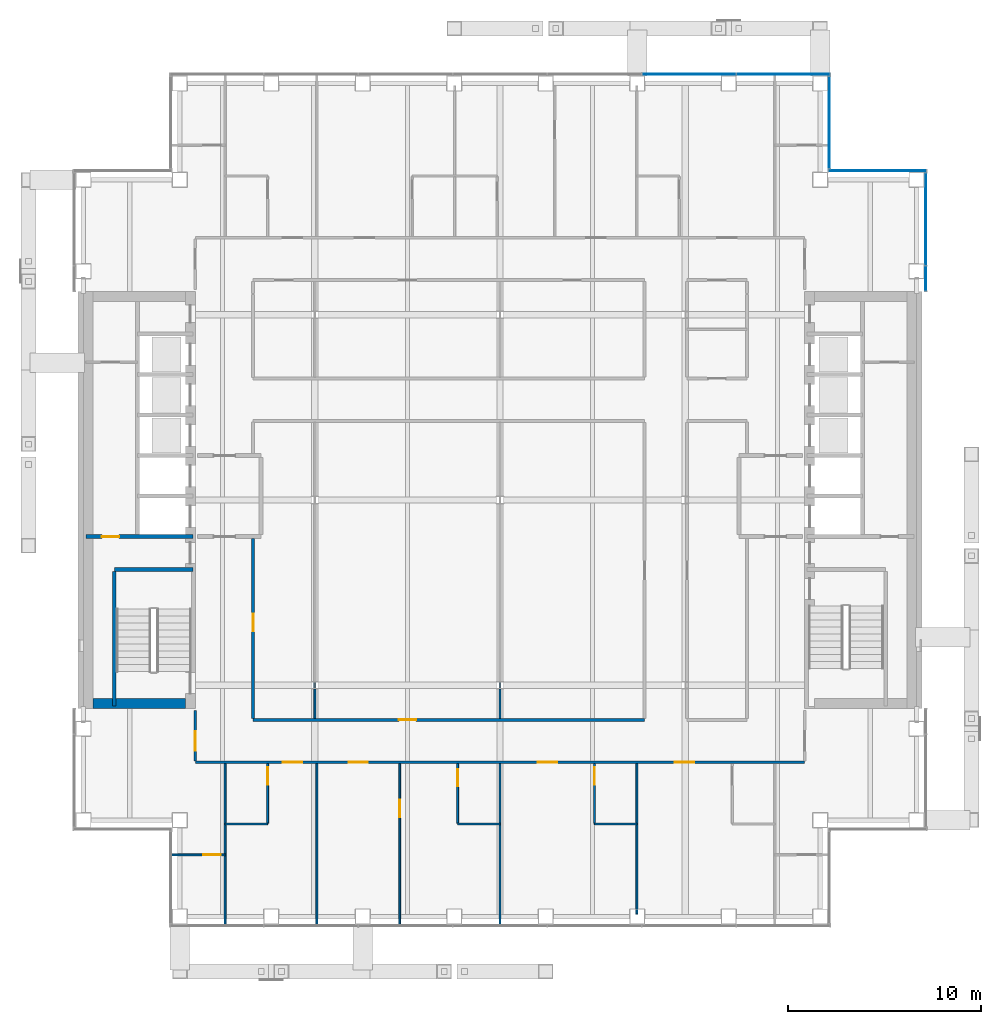
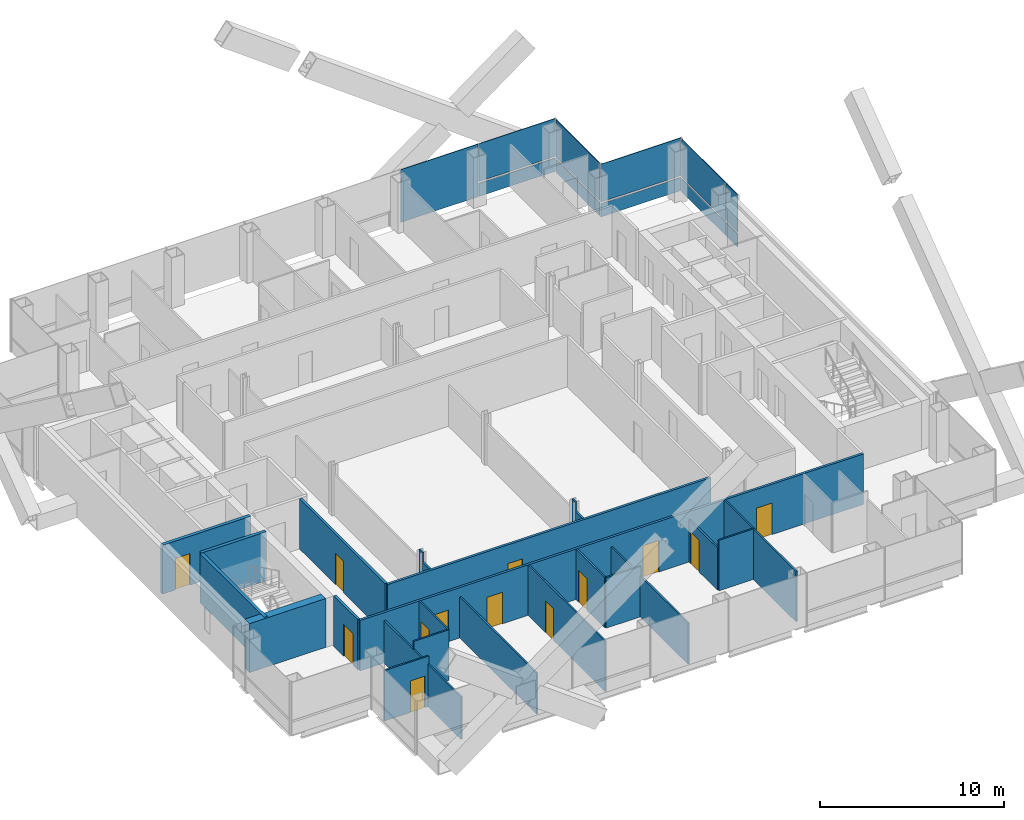
# One storey, part 10 of 16: 24 walls, 13 doors, 11 plates, 13 openings, 4 elements without a shape of their own.
"""IFC4 building model written with IfcOpenShell, lengths in metres."""

from ifc_helpers import new_model, si_unit, direction, frame, frame_2d, origin, origin_2d, place, context, subcontext, project, spatial, rectangle, extrude, material, layer, layer_set, type_object, element, fill, aggregate, save


model = new_model("IFC4")

# Units and contexts
model_context = context("Model", 3, precision=1e-05, world=origin(), true_north=direction((0.0, 1.0)))
body_context = subcontext(model_context, "Body", "Model", "MODEL_VIEW")
ifc_project = project(units=[si_unit("LENGTHUNIT", "METRE"), si_unit("AREAUNIT", "SQUARE_METRE"), si_unit("VOLUMEUNIT", "CUBIC_METRE"), si_unit("PLANEANGLEUNIT", "RADIAN"), si_unit("MASSUNIT", "GRAM", prefix="KILO")], contexts=[model_context])

# Site, building, storey
site_placement = place(None, origin())
site = spatial("IfcSite", under=ifc_project, at=site_placement, CompositionType="ELEMENT")
building_placement = place(site_placement, origin())
building = spatial("IfcBuilding", under=site, at=building_placement, Name="Cobrizo Arcos Hotel Tower", CompositionType="ELEMENT")
storey_placement = place(building_placement, frame((0.0, 0.0, 172.5)))
storey = spatial("IfcBuildingStorey", under=building, at=storey_placement, Name="L44", CompositionType="ELEMENT", Elevation=172.5)

# Curtain wall, plates
ifc_material_1 = material(Name="Aluminium 6063-T6 anodised bronze", Category="aluminium")
curtain_wall_type = type_object("IfcCurtainWallType", Name="CW-A guest facade", PredefinedType="NOTDEFINED", material=ifc_material_1)
curtain_wall_1_placement = place(storey_placement, origin())
curtain_wall_1 = element("IfcCurtainWall", 1, at=curtain_wall_1_placement, inside=storey, type_object=curtain_wall_type, Name="CW-A L44 E face", PredefinedType="NOTDEFINED")
ifc_material_2 = material(Name="Glass clear laminated low-e", Category="glass")
ifc_layer_1 = layer(ifc_material_2, 0.0400390625)
ifc_layer_set_1 = layer_set([ifc_layer_1], Name="CW-A glass panel")
plate_type_1 = type_object("IfcPlateType", Name="CW-A glass panel", PredefinedType="CURTAIN_PANEL", material=ifc_layer_set_1)
plate_1_placement = place(storey_placement, frame((22.074951171875, 11.486328125, 0.990234375), z_axis=(0.0, 0.0, 1.0), x_axis=(0.0, 1.0, 0.0)))
plate_1 = element("IfcPlate", 2, at=plate_1_placement, type_object=plate_type_1, Name="CW-A glass panel 1557", PredefinedType="CURTAIN_PANEL", context=body_context, shape_type="SweptSolid", body=[
    extrude(rectangle(XDim=1.2529296875, YDim=0.0400390625, at=origin_2d()), origin(), (0.0, 0.0, 1.0), 2.510009765625),
])
plate_2_placement = place(storey_placement, frame((22.074951171875, 14.556396484375, 0.990234375), z_axis=(0.0, 0.0, 1.0), x_axis=(0.0, 1.0, 0.0)))
plate_2 = element("IfcPlate", 3, at=plate_2_placement, type_object=plate_type_1, Name="CW-A glass panel 1558", PredefinedType="CURTAIN_PANEL", context=body_context, shape_type="SweptSolid", body=[
    extrude(rectangle(XDim=4.76708984375, YDim=0.0400390625, at=origin_2d()), origin(), (0.0, 0.0, 1.0), 2.510009765625),
])

# Curtain wall, plate
curtain_wall_2_placement = place(storey_placement, origin())
curtain_wall_2 = element("IfcCurtainWall", 4, at=curtain_wall_2_placement, inside=storey, type_object=curtain_wall_type, Name="CW-A L44 N face", PredefinedType="NOTDEFINED")
plate_3_placement = place(storey_placement, frame((19.574951171875, 17.074951171875, 0.990234375), z_axis=(0.0, 0.0, 1.0), x_axis=(-1.0, 0.0, 0.0)))
plate_3 = element("IfcPlate", 5, at=plate_3_placement, type_object=plate_type_1, Name="CW-A glass panel 1559", PredefinedType="CURTAIN_PANEL", context=body_context, shape_type="SweptSolid", body=[
    extrude(rectangle(XDim=5.030029296875, YDim=0.0400390625, at=origin_2d()), origin(), (0.0, 0.0, 1.0), 2.510009765625),
])

curtain_wall_3_placement = place(storey_placement, origin())
curtain_wall_3 = element("IfcCurtainWall", 6, at=curtain_wall_3_placement, inside=storey, type_object=curtain_wall_type, Name="CW-A L44 E face", PredefinedType="NOTDEFINED")
plate_4_placement = place(storey_placement, frame((17.074951171875, 19.574951171875, 0.990234375), z_axis=(0.0, 0.0, 1.0), x_axis=(0.0, 1.0, 0.0)))
plate_4 = element("IfcPlate", 7, at=plate_4_placement, type_object=plate_type_1, Name="CW-A glass panel 1560", PredefinedType="CURTAIN_PANEL", context=body_context, shape_type="SweptSolid", body=[
    extrude(rectangle(XDim=4.72998046875, YDim=0.0400390625, at=origin_2d()), origin(), (0.0, 0.0, 1.0), 2.510009765625),
])

curtain_wall_4_placement = place(storey_placement, origin())
curtain_wall_4 = element("IfcCurtainWall", 8, at=curtain_wall_4_placement, inside=storey, type_object=curtain_wall_type, Name="CW-A L44 N face", PredefinedType="NOTDEFINED")
plate_5_placement = place(storey_placement, frame((14.68505859375, 22.074951171875, 0.990234375), z_axis=(0.0, 0.0, 1.0), x_axis=(-1.0, 0.0, 0.0)))
plate_5 = element("IfcPlate", 9, at=plate_5_placement, type_object=plate_type_1, Name="CW-A glass panel 1561", PredefinedType="CURTAIN_PANEL", context=body_context, shape_type="SweptSolid", body=[
    extrude(rectangle(XDim=4.81005859375, YDim=0.0400390625, at=origin_2d()), origin(), (0.0, 0.0, 1.0), 2.510009765625),
])

# Plate
ifc_material_3 = material(Name="Aluminium composite panel pale metal", Category="aluminium")
ifc_layer_2 = layer(ifc_material_3, 0.0400390625)
ifc_layer_set_2 = layer_set([ifc_layer_2], Name="CW-A spandrel panel")
plate_type_2 = type_object("IfcPlateType", Name="CW-A spandrel panel", PredefinedType="CURTAIN_PANEL", material=ifc_layer_set_2)
plate_6_placement = place(storey_placement, frame((22.074951171875, 11.486328125, 0.0), z_axis=(0.0, 0.0, 1.0), x_axis=(0.0, 1.0, 0.0)))
plate_6 = element("IfcPlate", 10, at=plate_6_placement, type_object=plate_type_2, Name="CW-A spandrel panel 1557", PredefinedType="CURTAIN_PANEL", context=body_context, shape_type="SweptSolid", body=[
    extrude(rectangle(XDim=1.2529296875, YDim=0.0400390625, at=origin_2d()), origin(), (0.0, 0.0, 1.0), 0.8701171875),
])

plate_7_placement = place(storey_placement, frame((22.074951171875, 14.556396484375, 0.0), z_axis=(0.0, 0.0, 1.0), x_axis=(0.0, 1.0, 0.0)))
plate_7 = element("IfcPlate", 11, at=plate_7_placement, type_object=plate_type_2, Name="CW-A spandrel panel 1558", PredefinedType="CURTAIN_PANEL", context=body_context, shape_type="SweptSolid", body=[
    extrude(rectangle(XDim=4.76708984375, YDim=0.0400390625, at=origin_2d()), origin(), (0.0, 0.0, 1.0), 0.8701171875),
])

aggregate(curtain_wall_1, [plate_6, plate_1, plate_7, plate_2])

plate_8_placement = place(storey_placement, frame((19.574951171875, 17.074951171875, 0.0), z_axis=(0.0, 0.0, 1.0), x_axis=(-1.0, 0.0, 0.0)))
plate_8 = element("IfcPlate", 12, at=plate_8_placement, type_object=plate_type_2, Name="CW-A spandrel panel 1559", PredefinedType="CURTAIN_PANEL", context=body_context, shape_type="SweptSolid", body=[
    extrude(rectangle(XDim=5.030029296875, YDim=0.0400390625, at=origin_2d()), origin(), (0.0, 0.0, 1.0), 0.8701171875),
])

aggregate(curtain_wall_2, [plate_8, plate_3])

plate_9_placement = place(storey_placement, frame((17.074951171875, 19.574951171875, 0.0), z_axis=(0.0, 0.0, 1.0), x_axis=(0.0, 1.0, 0.0)))
plate_9 = element("IfcPlate", 13, at=plate_9_placement, type_object=plate_type_2, Name="CW-A spandrel panel 1560", PredefinedType="CURTAIN_PANEL", context=body_context, shape_type="SweptSolid", body=[
    extrude(rectangle(XDim=4.72998046875, YDim=0.0400390625, at=origin_2d()), origin(), (0.0, 0.0, 1.0), 0.8701171875),
])

aggregate(curtain_wall_3, [plate_9, plate_4])

plate_10_placement = place(storey_placement, frame((14.68505859375, 22.074951171875, 0.0), z_axis=(0.0, 0.0, 1.0), x_axis=(-1.0, 0.0, 0.0)))
plate_10 = element("IfcPlate", 14, at=plate_10_placement, type_object=plate_type_2, Name="CW-A spandrel panel 1561", PredefinedType="CURTAIN_PANEL", context=body_context, shape_type="SweptSolid", body=[
    extrude(rectangle(XDim=4.81005859375, YDim=0.0400390625, at=origin_2d()), origin(), (0.0, 0.0, 1.0), 0.8701171875),
])

plate_11_placement = place(storey_placement, frame((9.800048828125, 22.074951171875, 0.0), z_axis=(0.0, 0.0, 1.0), x_axis=(-1.0, 0.0, 0.0)))
plate_11 = element("IfcPlate", 15, at=plate_11_placement, type_object=plate_type_2, Name="CW-A spandrel panel 1562", PredefinedType="CURTAIN_PANEL", context=body_context, shape_type="SweptSolid", body=[
    extrude(rectangle(XDim=4.840087890625, YDim=0.0400390625, at=origin_2d()), origin(), (0.0, 0.0, 1.0), 3.5),
])

aggregate(curtain_wall_4, [plate_10, plate_5, plate_11])

# Wall, openings, doors
ifc_material_4 = material(Name="Gypsum board partition")
ifc_layer_3 = layer(ifc_material_4, 0.14990234375)
ifc_layer_set_3 = layer_set([ifc_layer_3], Name="Corridor wall EI 60 150")
wall_type_1 = type_object("IfcWallType", Name="Corridor wall EI 60 150", PredefinedType="PARTITIONING", material=ifc_layer_set_3)
wall_1_placement = place(storey_placement, frame((-15.800048828125, -13.60009765625, 0.0), z_axis=(0.0, 0.0, 1.0), x_axis=(1.0, 0.0, 0.0)))
wall_1 = element("IfcWall", 16, at=wall_1_placement, inside=storey, type_object=wall_type_1, Name="Partition 007", PredefinedType="PARTITIONING", context=body_context, shape_type="SweptSolid", body=[
    extrude(rectangle(XDim=31.60009765625, YDim=0.14990234375, at=frame_2d((15.800048828125, 0.0))), origin(), (0.0, 0.0, 1.0), 3.35009765625),
])
opening_1_placement = place(wall_1_placement, frame((4.54296875, 0.0, 0.0)))
opening_1 = element("IfcOpeningElement", 17, at=opening_1_placement, cuts=wall_1, Name="Opening GD-05", PredefinedType="OPENING", context=body_context, shape_type="SweptSolid", body=[
    extrude(rectangle(XDim=1.0, YDim=2.10009765625, at=frame_2d((0.5, 1.050048828125))), frame((0.0, 0.0869140625, 0.0), z_axis=(0.0, -1.0, 0.0), x_axis=(1.0, 0.0, 0.0)), (0.0, 0.0, 1.0), 0.173828125),
])
opening_2_placement = place(wall_1_placement, frame((7.948974609375, 0.0, 0.0)))
opening_2 = element("IfcOpeningElement", 18, at=opening_2_placement, cuts=wall_1, Name="Opening GD-06", PredefinedType="OPENING", context=body_context, shape_type="SweptSolid", body=[
    extrude(rectangle(XDim=1.0, YDim=2.10009765625, at=frame_2d((0.5, 1.050048828125))), frame((0.0, 0.0869140625, 0.0), z_axis=(0.0, -1.0, 0.0), x_axis=(1.0, 0.0, 0.0)), (0.0, 0.0, 1.0), 0.173828125),
])
opening_3_placement = place(wall_1_placement, frame((17.757080078125, 0.0, 0.0)))
opening_3 = element("IfcOpeningElement", 19, at=opening_3_placement, cuts=wall_1, Name="Opening GD-07", PredefinedType="OPENING", context=body_context, shape_type="SweptSolid", body=[
    extrude(rectangle(XDim=1.0, YDim=2.10009765625, at=frame_2d((0.5, 1.050048828125))), frame((0.0, 0.0869140625, 0.0), z_axis=(0.0, -1.0, 0.0), x_axis=(1.0, 0.0, 0.0)), (0.0, 0.0, 1.0), 0.173828125),
])
opening_4_placement = place(wall_1_placement, frame((24.8720703125, 0.0, 0.0)))
opening_4 = element("IfcOpeningElement", 20, at=opening_4_placement, cuts=wall_1, Name="Opening GD-08", PredefinedType="OPENING", context=body_context, shape_type="SweptSolid", body=[
    extrude(rectangle(XDim=1.0, YDim=2.10009765625, at=frame_2d((0.5, 1.050048828125))), frame((0.0, 0.0869140625, 0.0), z_axis=(0.0, -1.0, 0.0), x_axis=(1.0, 0.0, 0.0)), (0.0, 0.0, 1.0), 0.173828125),
])
ifc_material_5 = material(Name="Timber door leaf", Category="wood")
door_type_1 = type_object("IfcDoorType", Name="Guest room door FD30S 1000x2100", OperationType="SINGLE_SWING_LEFT", PredefinedType="DOOR", material=ifc_material_5)
door_1_placement = place(opening_1_placement, origin())
door_1 = element("IfcDoor", 21, at=door_1_placement, inside=storey, type_object=door_type_1, Name="Door GD-05", OperationType="SINGLE_SWING_LEFT", OverallHeight=2.10009765625, OverallWidth=1.0, PredefinedType="DOOR", context=body_context, shape_type="SweptSolid", body=[
    extrude(rectangle(XDim=1.0, YDim=2.10009765625, at=frame_2d((0.5, 1.050048828125))), frame((0.0, 0.02490234375, 0.0), z_axis=(0.0, -1.0, 0.0), x_axis=(1.0, 0.0, 0.0)), (0.0, 0.0, 1.0), 0.050048828125),
])
fill(opening_1, door_1)
door_2_placement = place(opening_2_placement, origin())
door_2 = element("IfcDoor", 22, at=door_2_placement, inside=storey, type_object=door_type_1, Name="Door GD-06", OperationType="SINGLE_SWING_RIGHT", OverallHeight=2.10009765625, OverallWidth=1.0, PredefinedType="DOOR", context=body_context, shape_type="SweptSolid", body=[
    extrude(rectangle(XDim=1.0, YDim=2.10009765625, at=frame_2d((0.5, 1.050048828125))), frame((0.0, 0.02490234375, 0.0), z_axis=(0.0, -1.0, 0.0), x_axis=(1.0, 0.0, 0.0)), (0.0, 0.0, 1.0), 0.050048828125),
])
fill(opening_2, door_2)
door_3_placement = place(opening_3_placement, origin())
door_3 = element("IfcDoor", 23, at=door_3_placement, inside=storey, type_object=door_type_1, Name="Door GD-07", OperationType="SINGLE_SWING_RIGHT", OverallHeight=2.10009765625, OverallWidth=1.0, PredefinedType="DOOR", context=body_context, shape_type="SweptSolid", body=[
    extrude(rectangle(XDim=1.0, YDim=2.10009765625, at=frame_2d((0.5, 1.050048828125))), frame((0.0, 0.02490234375, 0.0), z_axis=(0.0, -1.0, 0.0), x_axis=(1.0, 0.0, 0.0)), (0.0, 0.0, 1.0), 0.050048828125),
])
fill(opening_3, door_3)
door_4_placement = place(opening_4_placement, origin())
door_4 = element("IfcDoor", 24, at=door_4_placement, inside=storey, type_object=door_type_1, Name="Door GD-08", OperationType="SINGLE_SWING_LEFT", OverallHeight=2.10009765625, OverallWidth=1.0, PredefinedType="DOOR", context=body_context, shape_type="SweptSolid", body=[
    extrude(rectangle(XDim=1.0, YDim=2.10009765625, at=frame_2d((0.5, 1.050048828125))), frame((0.0, 0.02490234375, 0.0), z_axis=(0.0, -1.0, 0.0), x_axis=(1.0, 0.0, 0.0)), (0.0, 0.0, 1.0), 0.050048828125),
])
fill(opening_4, door_4)

# Wall, opening, door
wall_2_placement = place(storey_placement, frame((-12.800048828125, -11.39990234375, 0.0), z_axis=(0.0, 0.0, 1.0), x_axis=(1.0, 0.0, 0.0)))
wall_2 = element("IfcWall", 25, at=wall_2_placement, inside=storey, type_object=wall_type_1, Name="Partition 008", PredefinedType="PARTITIONING", context=body_context, shape_type="SweptSolid", body=[
    extrude(rectangle(XDim=20.300048828125, YDim=0.14990234375, at=frame_2d((10.14990234375, 0.0))), origin(), (0.0, 0.0, 1.0), 3.35009765625),
])
opening_5_placement = place(wall_2_placement, frame((7.550048828125, 0.0, 0.0)))
opening_5 = element("IfcOpeningElement", 26, at=opening_5_placement, cuts=wall_2, Name="Opening RD-15", PredefinedType="OPENING", context=body_context, shape_type="SweptSolid", body=[
    extrude(rectangle(XDim=0.89990234375, YDim=2.10009765625, at=frame_2d((0.449951171875, 1.050048828125))), frame((0.0, 0.0869140625, 0.0), z_axis=(0.0, -1.0, 0.0), x_axis=(1.0, 0.0, 0.0)), (0.0, 0.0, 1.0), 0.173828125),
])
door_type_2 = type_object("IfcDoorType", Name="Room door FD30 900x2100", OperationType="SINGLE_SWING_LEFT", PredefinedType="DOOR", material=ifc_material_5)
door_5_placement = place(opening_5_placement, origin())
door_5 = element("IfcDoor", 27, at=door_5_placement, inside=storey, type_object=door_type_2, Name="Door RD-15", OperationType="SINGLE_SWING_LEFT", OverallHeight=2.10009765625, OverallWidth=0.89990234375, PredefinedType="DOOR", context=body_context, shape_type="SweptSolid", body=[
    extrude(rectangle(XDim=0.89990234375, YDim=2.10009765625, at=frame_2d((0.449951171875, 1.050048828125))), frame((0.0, 0.02490234375, 0.0), z_axis=(0.0, -1.0, 0.0), x_axis=(1.0, 0.0, 0.0)), (0.0, 0.0, 1.0), 0.050048828125),
])
fill(opening_5, door_5)

wall_3_placement = place(storey_placement, frame((-15.800048828125, -13.52490234375, 0.0), z_axis=(0.0, 0.0, 1.0), x_axis=(0.0, 1.0, 0.0)))
wall_3 = element("IfcWall", 28, at=wall_3_placement, inside=storey, type_object=wall_type_1, Name="Partition 046", PredefinedType="PARTITIONING", context=body_context, shape_type="SweptSolid", body=[
    extrude(rectangle(XDim=2.60498046875, YDim=0.14990234375, at=frame_2d((1.302490234375, 0.0))), origin(), (0.0, 0.0, 1.0), 3.35009765625),
])
opening_6_placement = place(wall_3_placement, frame((0.52490234375, 0.0, 0.0)))
opening_6 = element("IfcOpeningElement", 29, at=opening_6_placement, cuts=wall_3, Name="Opening GD-09", PredefinedType="OPENING", context=body_context, shape_type="SweptSolid", body=[
    extrude(rectangle(XDim=1.0, YDim=2.10009765625, at=frame_2d((0.5, 1.050048828125))), frame((0.0, 0.0869140625, 0.0), z_axis=(0.0, -1.0, 0.0), x_axis=(1.0, 0.0, 0.0)), (0.0, 0.0, 1.0), 0.173828125),
])
door_6_placement = place(opening_6_placement, origin())
door_6 = element("IfcDoor", 30, at=door_6_placement, inside=storey, type_object=door_type_1, Name="Door GD-09", OperationType="SINGLE_SWING_LEFT", OverallHeight=2.10009765625, OverallWidth=1.0, PredefinedType="DOOR", context=body_context, shape_type="SweptSolid", body=[
    extrude(rectangle(XDim=1.0, YDim=2.10009765625, at=frame_2d((0.5, 1.050048828125))), frame((0.0, 0.02490234375, 0.0), z_axis=(0.0, -1.0, 0.0), x_axis=(1.0, 0.0, 0.0)), (0.0, 0.0, 1.0), 0.050048828125),
])
fill(opening_6, door_6)

wall_4_placement = place(storey_placement, frame((-12.800048828125, -11.324951171875, 0.0), z_axis=(0.0, 0.0, 1.0), x_axis=(0.0, 1.0, 0.0)))
wall_4 = element("IfcWall", 31, at=wall_4_placement, inside=storey, type_object=wall_type_1, Name="Partition 050", PredefinedType="PARTITIONING", context=body_context, shape_type="SweptSolid", body=[
    extrude(rectangle(XDim=9.324951171875, YDim=0.14990234375, at=frame_2d((4.66259765625, 0.0))), origin(), (0.0, 0.0, 1.0), 3.35009765625),
])
opening_7_placement = place(wall_4_placement, frame((4.52490234375, 0.0, 0.0)))
opening_7 = element("IfcOpeningElement", 32, at=opening_7_placement, cuts=wall_4, Name="Opening RD-12", PredefinedType="OPENING", context=body_context, shape_type="SweptSolid", body=[
    extrude(rectangle(XDim=0.89990234375, YDim=2.10009765625, at=frame_2d((0.449951171875, 1.050048828125))), frame((0.0, 0.0869140625, 0.0), z_axis=(0.0, -1.0, 0.0), x_axis=(1.0, 0.0, 0.0)), (0.0, 0.0, 1.0), 0.173828125),
])
door_7_placement = place(opening_7_placement, origin())
door_7 = element("IfcDoor", 33, at=door_7_placement, inside=storey, type_object=door_type_2, Name="Door RD-12", OperationType="SINGLE_SWING_LEFT", OverallHeight=2.10009765625, OverallWidth=0.89990234375, PredefinedType="DOOR", context=body_context, shape_type="SweptSolid", body=[
    extrude(rectangle(XDim=0.89990234375, YDim=2.10009765625, at=frame_2d((0.449951171875, 1.050048828125))), frame((0.0, 0.02490234375, 0.0), z_axis=(0.0, -1.0, 0.0), x_axis=(1.0, 0.0, 0.0)), (0.0, 0.0, 1.0), 0.050048828125),
])
fill(opening_7, door_7)

ifc_layer_4 = layer(ifc_material_4, 0.10009765625)
ifc_layer_set_4 = layer_set([ifc_layer_4], Name="Partition EI 30 100")
wall_type_2 = type_object("IfcWallType", Name="Partition EI 30 100", PredefinedType="PARTITIONING", material=ifc_layer_set_4)
wall_5_placement = place(storey_placement, frame((-17.030029296875, -18.39990234375, 0.0), z_axis=(0.0, 0.0, 1.0), x_axis=(1.0, 0.0, 0.0)))
wall_5 = element("IfcWall", 34, at=wall_5_placement, inside=storey, type_object=wall_type_2, Name="Partition 001", PredefinedType="PARTITIONING", context=body_context, shape_type="SweptSolid", body=[
    extrude(rectangle(XDim=2.780029296875, YDim=0.10009765625, at=frame_2d((1.39013671875, 0.0))), origin(), (0.0, 0.0, 1.0), 3.35009765625),
])
opening_8_placement = place(wall_5_placement, frame((1.639892578125, 0.0, 0.0)))
opening_8 = element("IfcOpeningElement", 35, at=opening_8_placement, cuts=wall_5, Name="Opening ED-09", PredefinedType="OPENING", context=body_context, shape_type="SweptSolid", body=[
    extrude(rectangle(XDim=0.89990234375, YDim=2.10009765625, at=frame_2d((0.449951171875, 1.050048828125))), frame((0.0, 0.06201171875, 0.0), z_axis=(0.0, -1.0, 0.0), x_axis=(1.0, 0.0, 0.0)), (0.0, 0.0, 1.0), 0.1240234375),
])
door_type_3 = type_object("IfcDoorType", Name="En-suite door 900x2100", OperationType="SINGLE_SWING_LEFT", PredefinedType="DOOR", material=ifc_material_5)
door_8_placement = place(opening_8_placement, origin())
door_8 = element("IfcDoor", 36, at=door_8_placement, inside=storey, type_object=door_type_3, Name="Door ED-09", OperationType="SINGLE_SWING_LEFT", OverallHeight=2.10009765625, OverallWidth=0.89990234375, PredefinedType="DOOR", context=body_context, shape_type="SweptSolid", body=[
    extrude(rectangle(XDim=0.89990234375, YDim=2.10009765625, at=frame_2d((0.449951171875, 1.050048828125))), frame((0.0, 0.02490234375, 0.0), z_axis=(0.0, -1.0, 0.0), x_axis=(1.0, 0.0, 0.0)), (0.0, 0.0, 1.0), 0.050048828125),
])
fill(opening_8, door_8)

# Walls
for number, where, z_axis, x_axis, name in (
    (37, (-14.25, -16.800048828125, 0.0), (0.0, 0.0, 1.0), (1.0, 0.0, 0.0), "Partition 003"),
    (38, (-2.199951171875, -16.800048828125, 0.0), (0.0, 0.0, 1.0), (1.0, 0.0, 0.0), "Partition 004"),
):
    element("IfcWall", number, at=place(storey_placement, frame(where, z_axis=z_axis, x_axis=x_axis)), inside=storey, type_object=wall_type_2, Name=name, PredefinedType="PARTITIONING", context=body_context, shape_type="SweptSolid", body=[
        extrude(rectangle(XDim=2.199951171875, YDim=0.10009765625, at=frame_2d((1.10009765625, 0.0))), origin(), (0.0, 0.0, 1.0), 3.35009765625),
    ])
wall_6_placement = place(storey_placement, frame((4.89990234375, -16.800048828125, 0.0), z_axis=(0.0, 0.0, 1.0), x_axis=(1.0, 0.0, 0.0)))
element("IfcWall", 39, at=wall_6_placement, inside=storey, type_object=wall_type_2, Name="Partition 005", PredefinedType="PARTITIONING", context=body_context, shape_type="SweptSolid", body=[
    extrude(rectangle(XDim=2.2001953125, YDim=0.10009765625, at=frame_2d((1.10009765625, 0.0))), origin(), (0.0, 0.0, 1.0), 3.35009765625),
])
wall_7_placement = place(storey_placement, frame((-14.25, -22.030029296875, 0.0), z_axis=(0.0, 0.0, 1.0), x_axis=(0.0, 1.0, 0.0)))
element("IfcWall", 40, at=wall_7_placement, inside=storey, type_object=wall_type_2, Name="Partition 048", PredefinedType="PARTITIONING", context=body_context, shape_type="SweptSolid", body=[
    extrude(rectangle(XDim=8.35498046875, YDim=0.10009765625, at=frame_2d((4.177490234375, 0.0))), origin(), (0.0, 0.0, 1.0), 2.81689453125),
])

# Wall, opening, door
wall_8_placement = place(storey_placement, frame((-12.050048828125, -16.75, 0.0), z_axis=(0.0, 0.0, 1.0), x_axis=(0.0, 1.0, 0.0)))
wall_8 = element("IfcWall", 41, at=wall_8_placement, inside=storey, type_object=wall_type_2, Name="Partition 055", PredefinedType="PARTITIONING", context=body_context, shape_type="SweptSolid", body=[
    extrude(rectangle(XDim=3.074951171875, YDim=0.10009765625, at=frame_2d((1.53759765625, 0.0))), origin(), (0.0, 0.0, 1.0), 3.35009765625),
])
opening_9_placement = place(wall_8_placement, frame((1.99609375, 0.0, 0.0)))
opening_9 = element("IfcOpeningElement", 42, at=opening_9_placement, cuts=wall_8, Name="Opening ED-05", PredefinedType="OPENING", context=body_context, shape_type="SweptSolid", body=[
    extrude(rectangle(XDim=0.89990234375, YDim=2.10009765625, at=frame_2d((0.449951171875, 1.050048828125))), frame((0.0, 0.06201171875, 0.0), z_axis=(0.0, -1.0, 0.0), x_axis=(1.0, 0.0, 0.0)), (0.0, 0.0, 1.0), 0.1240234375),
])
door_9_placement = place(opening_9_placement, origin())
door_9 = element("IfcDoor", 43, at=door_9_placement, inside=storey, type_object=door_type_3, Name="Door ED-05", OperationType="SINGLE_SWING_RIGHT", OverallHeight=2.10009765625, OverallWidth=0.89990234375, PredefinedType="DOOR", context=body_context, shape_type="SweptSolid", body=[
    extrude(rectangle(XDim=0.89990234375, YDim=2.10009765625, at=frame_2d((0.449951171875, 1.050048828125))), frame((0.0, 0.02490234375, 0.0), z_axis=(0.0, -1.0, 0.0), x_axis=(1.0, 0.0, 0.0)), (0.0, 0.0, 1.0), 0.050048828125),
])
fill(opening_9, door_9)

# Walls
wall_9_placement = place(storey_placement, frame((-9.60009765625, -11.324951171875, 0.0), z_axis=(0.0, 0.0, 1.0), x_axis=(0.0, 1.0, 0.0)))
element("IfcWall", 44, at=wall_9_placement, inside=storey, type_object=wall_type_2, Name="Partition 057", PredefinedType="PARTITIONING", context=body_context, shape_type="SweptSolid", body=[
    extrude(rectangle(XDim=1.537841796875, YDim=0.10009765625, at=frame_2d((0.76904296875, 0.0))), origin(), (0.0, 0.0, 1.0), 2.72802734375),
])
wall_10_placement = place(storey_placement, frame((-9.60009765625, -9.787109375, 0.0), z_axis=(0.0, 0.0, 1.0), x_axis=(0.0, 1.0, 0.0)))
element("IfcWall", 45, at=wall_10_placement, inside=storey, type_object=wall_type_2, Name="Partition 058", PredefinedType="PARTITIONING", context=body_context, shape_type="SweptSolid", body=[
    extrude(rectangle(XDim=0.3740234375, YDim=0.10009765625, at=frame_2d((0.18701171875, 0.0))), origin(), (0.0, 0.0, 1.0), 3.35009765625),
])
wall_11_placement = place(storey_placement, frame((-9.5, -22.030029296875, 0.0), z_axis=(0.0, 0.0, 1.0), x_axis=(0.0, 1.0, 0.0)))
element("IfcWall", 46, at=wall_11_placement, inside=storey, type_object=wall_type_2, Name="Partition 065", PredefinedType="PARTITIONING", context=body_context, shape_type="SweptSolid", body=[
    extrude(rectangle(XDim=8.35498046875, YDim=0.10009765625, at=frame_2d((4.177490234375, 0.0))), origin(), (0.0, 0.0, 1.0), 2.72802734375),
])

# Wall, opening, door
wall_12_placement = place(storey_placement, frame((-5.199951171875, -22.030029296875, 0.0), z_axis=(0.0, 0.0, 1.0), x_axis=(0.0, 1.0, 0.0)))
wall_12 = element("IfcWall", 47, at=wall_12_placement, inside=storey, type_object=wall_type_2, Name="Partition 067", PredefinedType="PARTITIONING", context=body_context, shape_type="SweptSolid", body=[
    extrude(rectangle(XDim=8.35498046875, YDim=0.10009765625, at=frame_2d((4.177490234375, 0.0))), origin(), (0.0, 0.0, 1.0), 3.35009765625),
])
opening_10_placement = place(wall_12_placement, frame((5.580078125, 0.0, 0.0)))
opening_10 = element("IfcOpeningElement", 48, at=opening_10_placement, cuts=wall_12, Name="Opening RD-08", PredefinedType="OPENING", context=body_context, shape_type="SweptSolid", body=[
    extrude(rectangle(XDim=0.89990234375, YDim=2.10009765625, at=frame_2d((0.449951171875, 1.050048828125))), frame((0.0, 0.06201171875, 0.0), z_axis=(0.0, -1.0, 0.0), x_axis=(1.0, 0.0, 0.0)), (0.0, 0.0, 1.0), 0.1240234375),
])
door_10_placement = place(opening_10_placement, origin())
door_10 = element("IfcDoor", 49, at=door_10_placement, inside=storey, type_object=door_type_2, Name="Door RD-08", OperationType="SINGLE_SWING_RIGHT", OverallHeight=2.10009765625, OverallWidth=0.89990234375, PredefinedType="DOOR", context=body_context, shape_type="SweptSolid", body=[
    extrude(rectangle(XDim=0.89990234375, YDim=2.10009765625, at=frame_2d((0.449951171875, 1.050048828125))), frame((0.0, 0.02490234375, 0.0), z_axis=(0.0, -1.0, 0.0), x_axis=(1.0, 0.0, 0.0)), (0.0, 0.0, 1.0), 0.050048828125),
])
fill(opening_10, door_10)

wall_13_placement = place(storey_placement, frame((-2.199951171875, -16.75, 0.0), z_axis=(0.0, 0.0, 1.0), x_axis=(0.0, 1.0, 0.0)))
wall_13 = element("IfcWall", 50, at=wall_13_placement, inside=storey, type_object=wall_type_2, Name="Partition 071", PredefinedType="PARTITIONING", context=body_context, shape_type="SweptSolid", body=[
    extrude(rectangle(XDim=3.074951171875, YDim=0.10009765625, at=frame_2d((1.53759765625, 0.0))), origin(), (0.0, 0.0, 1.0), 3.35009765625),
])
opening_11_placement = place(wall_13_placement, frame((1.89990234375, 0.0, 0.0)))
opening_11 = element("IfcOpeningElement", 51, at=opening_11_placement, cuts=wall_13, Name="Opening ED-06", PredefinedType="OPENING", context=body_context, shape_type="SweptSolid", body=[
    extrude(rectangle(XDim=0.89990234375, YDim=2.10009765625, at=frame_2d((0.449951171875, 1.050048828125))), frame((0.0, 0.06201171875, 0.0), z_axis=(0.0, -1.0, 0.0), x_axis=(1.0, 0.0, 0.0)), (0.0, 0.0, 1.0), 0.1240234375),
])
door_11_placement = place(opening_11_placement, origin())
door_11 = element("IfcDoor", 52, at=door_11_placement, inside=storey, type_object=door_type_3, Name="Door ED-06", OperationType="SINGLE_SWING_LEFT", OverallHeight=2.10009765625, OverallWidth=0.89990234375, PredefinedType="DOOR", context=body_context, shape_type="SweptSolid", body=[
    extrude(rectangle(XDim=0.89990234375, YDim=2.10009765625, at=frame_2d((0.449951171875, 1.050048828125))), frame((0.0, 0.02490234375, 0.0), z_axis=(0.0, -1.0, 0.0), x_axis=(1.0, 0.0, 0.0)), (0.0, 0.0, 1.0), 0.050048828125),
])
fill(opening_11, door_11)

# Walls
wall_14_placement = place(storey_placement, frame((0.0, -22.030029296875, 0.0), z_axis=(0.0, 0.0, 1.0), x_axis=(0.0, 1.0, 0.0)))
element("IfcWall", 53, at=wall_14_placement, inside=storey, type_object=wall_type_2, Name="Partition 073", PredefinedType="PARTITIONING", context=body_context, shape_type="SweptSolid", body=[
    extrude(rectangle(XDim=8.35498046875, YDim=0.10009765625, at=frame_2d((4.177490234375, 0.0))), origin(), (0.0, 0.0, 1.0), 2.72802734375),
])
wall_15_placement = place(storey_placement, frame((0.0, -11.324951171875, 0.0), z_axis=(0.0, 0.0, 1.0), x_axis=(0.0, 1.0, 0.0)))
element("IfcWall", 54, at=wall_15_placement, inside=storey, type_object=wall_type_2, Name="Partition 074", PredefinedType="PARTITIONING", context=body_context, shape_type="SweptSolid", body=[
    extrude(rectangle(XDim=1.537841796875, YDim=0.10009765625, at=frame_2d((0.76904296875, 0.0))), origin(), (0.0, 0.0, 1.0), 2.72802734375),
])
wall_16_placement = place(storey_placement, frame((0.0, -9.787109375, 0.0), z_axis=(0.0, 0.0, 1.0), x_axis=(0.0, 1.0, 0.0)))
element("IfcWall", 55, at=wall_16_placement, inside=storey, type_object=wall_type_2, Name="Partition 075", PredefinedType="PARTITIONING", context=body_context, shape_type="SweptSolid", body=[
    extrude(rectangle(XDim=0.3740234375, YDim=0.10009765625, at=frame_2d((0.18701171875, 0.0))), origin(), (0.0, 0.0, 1.0), 3.35009765625),
])

# Wall, opening, door
wall_17_placement = place(storey_placement, frame((4.89990234375, -16.75, 0.0), z_axis=(0.0, 0.0, 1.0), x_axis=(0.0, 1.0, 0.0)))
wall_17 = element("IfcWall", 56, at=wall_17_placement, inside=storey, type_object=wall_type_2, Name="Partition 083", PredefinedType="PARTITIONING", context=body_context, shape_type="SweptSolid", body=[
    extrude(rectangle(XDim=3.074951171875, YDim=0.10009765625, at=frame_2d((1.53759765625, 0.0))), origin(), (0.0, 0.0, 1.0), 2.81689453125),
])
opening_12_placement = place(wall_17_placement, frame((1.99609375, 0.0, 0.0)))
opening_12 = element("IfcOpeningElement", 57, at=opening_12_placement, cuts=wall_17, Name="Opening ED-07", PredefinedType="OPENING", context=body_context, shape_type="SweptSolid", body=[
    extrude(rectangle(XDim=0.89990234375, YDim=2.10009765625, at=frame_2d((0.449951171875, 1.050048828125))), frame((0.0, 0.06201171875, 0.0), z_axis=(0.0, -1.0, 0.0), x_axis=(1.0, 0.0, 0.0)), (0.0, 0.0, 1.0), 0.1240234375),
])
door_12_placement = place(opening_12_placement, origin())
door_12 = element("IfcDoor", 58, at=door_12_placement, inside=storey, type_object=door_type_3, Name="Door ED-07", OperationType="SINGLE_SWING_RIGHT", OverallHeight=2.10009765625, OverallWidth=0.89990234375, PredefinedType="DOOR", context=body_context, shape_type="SweptSolid", body=[
    extrude(rectangle(XDim=0.89990234375, YDim=2.10009765625, at=frame_2d((0.449951171875, 1.050048828125))), frame((0.0, 0.02490234375, 0.0), z_axis=(0.0, -1.0, 0.0), x_axis=(1.0, 0.0, 0.0)), (0.0, 0.0, 1.0), 0.050048828125),
])
fill(opening_12, door_12)

# Walls
wall_18_placement = place(storey_placement, frame((7.10009765625, -21.47998046875, 0.0), z_axis=(0.0, 0.0, 1.0), x_axis=(0.0, 1.0, 0.0)))
element("IfcWall", 59, at=wall_18_placement, inside=storey, type_object=wall_type_2, Name="Partition 084", PredefinedType="PARTITIONING", context=body_context, shape_type="SweptSolid", body=[
    extrude(rectangle(XDim=7.804931640625, YDim=0.10009765625, at=frame_2d((3.90234375, 0.0))), origin(), (0.0, 0.0, 1.0), 3.35009765625),
])
ifc_material_6 = material(Name="Concrete f'c 50 MPa", Category="concrete")
ifc_layer_5 = layer(ifc_material_6, 0.5)
ifc_layer_set_5 = layer_set([ifc_layer_5], Name="RC core wall 500 f'c 50")
wall_type_3 = type_object("IfcWallType", Name="RC core wall 500 f'c 50", PredefinedType="SHEAR", material=ifc_layer_set_5)
wall_19_placement = place(storey_placement, frame((-21.10009765625, -10.550048828125, 0.0), z_axis=(0.0, 0.0, 1.0), x_axis=(1.0, 0.0, 0.0)))
element("IfcWall", 60, at=wall_19_placement, inside=storey, type_object=wall_type_3, Name="Core wall CW3, west core, south end, L44", PredefinedType="SHEAR", context=body_context, shape_type="SweptSolid", body=[
    extrude(rectangle(XDim=4.800048828125, YDim=0.5, at=frame_2d((2.39990234375, 0.0))), origin(), (0.0, 0.0, 1.0), 3.25),
])

# Wall, opening, door
ifc_layer_6 = layer(ifc_material_4, 0.199951171875)
ifc_layer_set_6 = layer_set([ifc_layer_6], Name="Shaft wall EI 120 200")
wall_type_4 = type_object("IfcWallType", Name="Shaft wall EI 120 200", PredefinedType="PARTITIONING", material=ifc_layer_set_6)
wall_20_placement = place(storey_placement, frame((-21.47998046875, -1.89990234375, 0.0), z_axis=(0.0, 0.0, 1.0), x_axis=(1.0, 0.0, 0.0)))
wall_20 = element("IfcWall", 61, at=wall_20_placement, inside=storey, type_object=wall_type_4, Name="Partition 012", PredefinedType="PARTITIONING", context=body_context, shape_type="SweptSolid", body=[
    extrude(rectangle(XDim=5.56005859375, YDim=0.199951171875, at=frame_2d((2.780029296875, 0.0))), origin(), (0.0, 0.0, 1.0), 3.25),
])
opening_13_placement = place(wall_20_placement, frame((0.830078125, 0.0, 0.0)))
opening_13 = element("IfcOpeningElement", 62, at=opening_13_placement, cuts=wall_20, Name="Opening RD-02", PredefinedType="OPENING", context=body_context, shape_type="SweptSolid", body=[
    extrude(rectangle(XDim=0.89990234375, YDim=2.10009765625, at=frame_2d((0.449951171875, 1.050048828125))), frame((0.0, 0.112060546875, 0.0), z_axis=(0.0, -1.0, 0.0), x_axis=(1.0, 0.0, 0.0)), (0.0, 0.0, 1.0), 0.223876953125),
])
door_13_placement = place(opening_13_placement, origin())
door_13 = element("IfcDoor", 63, at=door_13_placement, inside=storey, type_object=door_type_2, Name="Door RD-02", OperationType="SINGLE_SWING_RIGHT", OverallHeight=2.10009765625, OverallWidth=0.89990234375, PredefinedType="DOOR", context=body_context, shape_type="SweptSolid", body=[
    extrude(rectangle(XDim=0.89990234375, YDim=2.10009765625, at=frame_2d((0.449951171875, 1.050048828125))), frame((0.0, 0.02490234375, 0.0), z_axis=(0.0, -1.0, 0.0), x_axis=(1.0, 0.0, 0.0)), (0.0, 0.0, 1.0), 0.050048828125),
])
fill(opening_13, door_13)

# Walls
ifc_material_7 = material(Name="Concrete f'c 40 MPa", Category="concrete")
ifc_layer_7 = layer(ifc_material_7, 0.199951171875)
ifc_layer_set_7 = layer_set([ifc_layer_7], Name="Stair shaft wall 200")
wall_type_5 = type_object("IfcWallType", Name="Stair shaft wall 200", PredefinedType="SHEAR", material=ifc_layer_set_7)
wall_21_placement = place(storey_placement, frame((-20.0, -3.60009765625, 0.0), z_axis=(0.0, 0.0, 1.0), x_axis=(1.0, 0.0, 0.0)))
element("IfcWall", 64, at=wall_21_placement, inside=storey, type_object=wall_type_5, Name="Stair shaft wall W", PredefinedType="SHEAR", context=body_context, shape_type="SweptSolid", body=[
    extrude(rectangle(XDim=4.080078125, YDim=0.199951171875, at=frame_2d((2.0400390625, 0.0))), origin(), (0.0, 0.0, 1.0), 3.25),
])
wall_22_placement = place(storey_placement, frame((-20.0, -10.679931640625, 0.0), z_axis=(0.0, 0.0, 1.0), x_axis=(0.0, 1.0, 0.0)))
element("IfcWall", 65, at=wall_22_placement, inside=storey, type_object=wall_type_5, Name="Stair shaft wall W", PredefinedType="SHEAR", context=body_context, shape_type="SweptSolid", body=[
    extrude(rectangle(XDim=6.97998046875, YDim=0.199951171875, at=frame_2d((3.489990234375, 0.0))), origin(), (0.0, 0.0, 1.0), 3.25),
])

save(model, "model.ifc")
